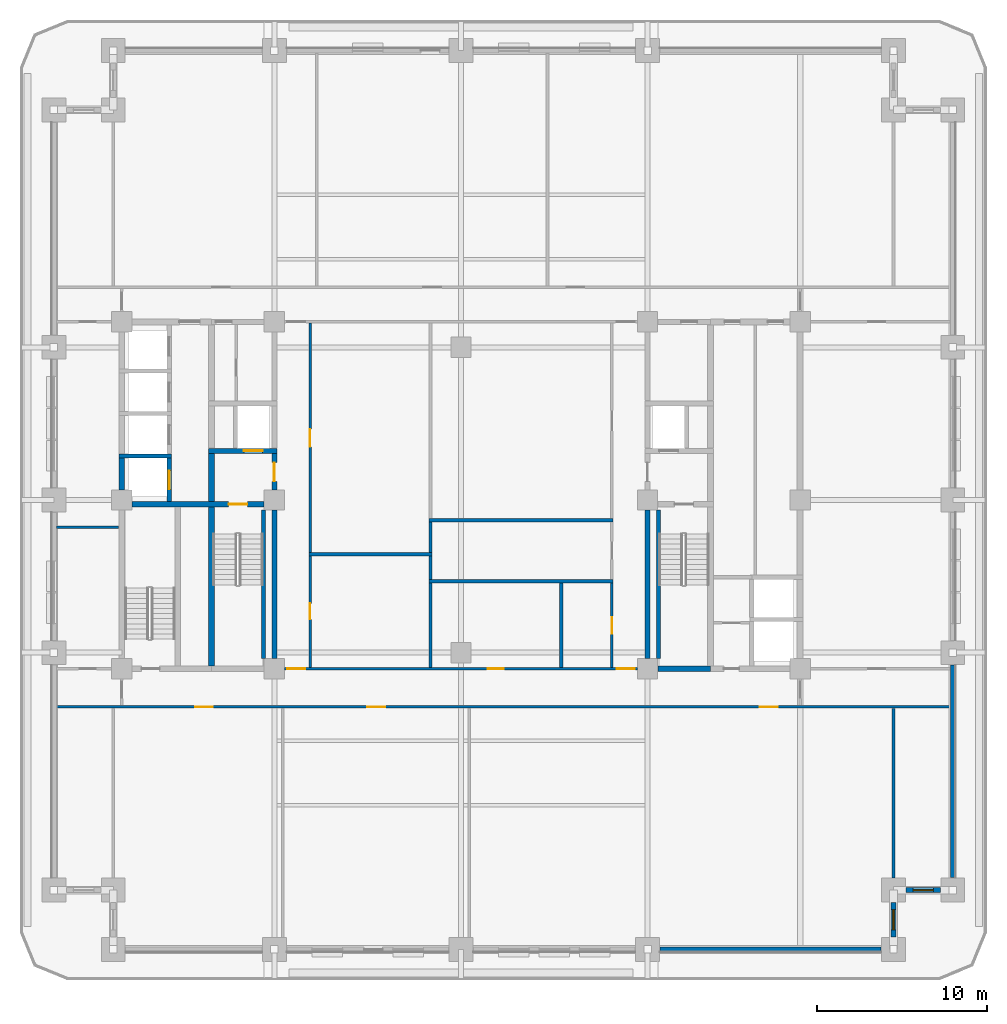
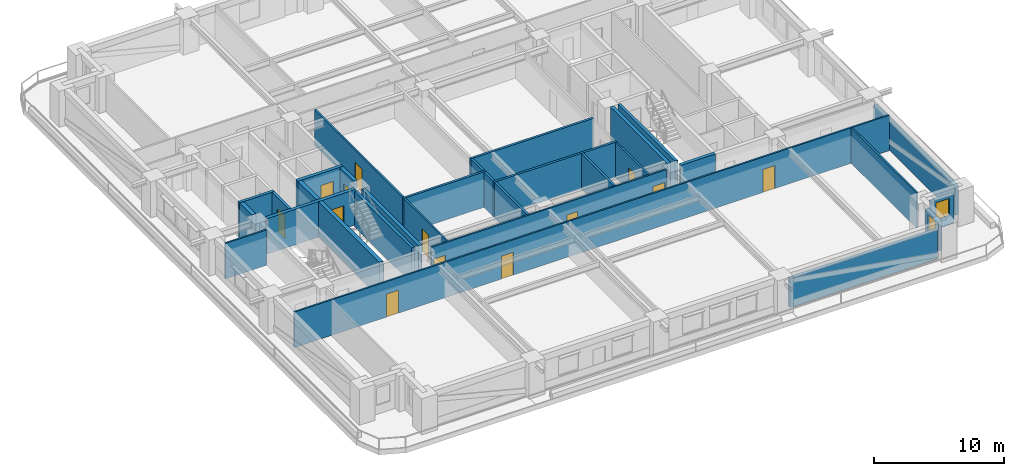
# One storey, part 3 of 13: 31 walls, 13 doors, 2 windows, 15 openings.
"""IFC4 building model written with IfcOpenShell, lengths in metres."""

from ifc_helpers import new_model, si_unit, direction, frame, frame_2d, origin, place, context, subcontext, project, spatial, rectangle, extrude, material, layer, layer_set, type_object, element, fill, save


model = new_model("IFC4")

# Units and contexts
model_context = context("Model", 3, precision=1e-05, world=origin(), true_north=direction((0.0, 1.0)))
body_context = subcontext(model_context, "Body", "Model", "MODEL_VIEW")
ifc_project = project(units=[si_unit("LENGTHUNIT", "METRE"), si_unit("AREAUNIT", "SQUARE_METRE"), si_unit("VOLUMEUNIT", "CUBIC_METRE"), si_unit("PLANEANGLEUNIT", "RADIAN"), si_unit("MASSUNIT", "GRAM", prefix="KILO")], contexts=[model_context])

# Site, building, storey
site_placement = place(None, origin())
site = spatial("IfcSite", under=ifc_project, at=site_placement, CompositionType="ELEMENT")
building_placement = place(site_placement, origin())
building = spatial("IfcBuilding", under=site, at=building_placement, Name="Zulmaris Gate Convention Tower", CompositionType="ELEMENT")
storey_placement = place(building_placement, frame((0.0, 0.0, 34.340087890625)))
storey = spatial("IfcBuildingStorey", under=building, at=storey_placement, Name="L07", CompositionType="ELEMENT", Elevation=34.340087890625)

# Wall
ifc_material_1 = material(Name="Concrete C50/60", Category="concrete")
ifc_layer_1 = layer(ifc_material_1, 0.25, Name="Concrete C50/60")
ifc_layer_set_1 = layer_set([ifc_layer_1], Name="Concrete C50/60")
wall_type_1 = type_object("IfcWallType", Name="CORE-250", PredefinedType="SOLIDWALL", material=ifc_layer_set_1)
wall_1_placement = place(storey_placement, frame((-20.175048828125, 2.60009765625, 0.0), z_axis=(0.0, 0.0, 1.0), x_axis=(1.0, 0.0, 0.0)))
element("IfcWall", 1, at=wall_1_placement, inside=storey, type_object=wall_type_1, Name="WL-L07-009", PredefinedType="SOLIDWALL", context=body_context, shape_type="SweptSolid", body=[
    extrude(rectangle(XDim=3.10009765625, YDim=0.25, at=frame_2d((1.550048828125, 0.0))), origin(), (0.0, 0.0, 1.0), 3.31982421875),
])

# Wall, opening, door
wall_2_placement = place(storey_placement, frame((-17.199951171875, -0.097900390625, 0.0), z_axis=(0.0, 0.0, 1.0), x_axis=(0.0, 1.0, 0.0)))
wall_2 = element("IfcWall", 2, at=wall_2_placement, inside=storey, type_object=wall_type_1, Name="WL-L07-039", PredefinedType="SOLIDWALL", context=body_context, shape_type="SweptSolid", body=[
    extrude(rectangle(XDim=2.57080078125, YDim=0.25, at=frame_2d((1.285400390625, 0.0))), origin(), (0.0, 0.0, 1.0), 3.31982421875),
])
opening_1_placement = place(wall_2_placement, frame((0.722900390625, 0.0, 0.0)))
opening_1 = element("IfcOpeningElement", 3, at=opening_1_placement, cuts=wall_2, Name="Opening D-06", PredefinedType="OPENING", context=body_context, shape_type="SweptSolid", body=[
    extrude(rectangle(XDim=1.10009765625, YDim=2.199951171875, at=frame_2d((0.550048828125, 1.10009765625))), frame((0.0, 0.135009765625, 0.0), z_axis=(0.0, -1.0, 0.0), x_axis=(1.0, 0.0, 0.0)), (0.0, 0.0, 1.0), 0.27001953125),
])
ifc_material_2 = material(Name="Brushed Stainless Steel", Category="steel")
door_type_1 = type_object("IfcDoorType", Name="LD-1100", OperationType="NOTDEFINED", PredefinedType="DOOR", material=ifc_material_2)
door_1_placement = place(opening_1_placement, origin())
door_1 = element("IfcDoor", 4, at=door_1_placement, inside=storey, type_object=door_type_1, Name="L07 Lift Landing Door LP-01 12", OperationType="SLIDING_TO_LEFT", OverallHeight=2.199951171875, OverallWidth=1.10009765625, PredefinedType="DOOR", context=body_context, shape_type="SweptSolid", body=[
    extrude(rectangle(XDim=1.10009765625, YDim=2.199951171875, at=frame_2d((0.550048828125, 1.10009765625))), frame((0.0, 0.02490234375, 0.0), z_axis=(0.0, -1.0, 0.0), x_axis=(1.0, 0.0, 0.0)), (0.0, 0.0, 1.0), 0.050048828125),
])
fill(opening_1, door_1)

# Walls
for number, where, z_axis, x_axis, name in (
    (5, (-11.64990234375, -9.345947265625, 0.0), (0.0, 0.0, 1.0), (0.0, 1.0, 0.0), "WL-L07-049"),
    (6, (11.64990234375, -9.345947265625, 0.0), (0.0, 0.0, 1.0), (0.0, 1.0, 0.0), "WL-L07-058"),
):
    element("IfcWall", number, at=place(storey_placement, frame(where, z_axis=z_axis, x_axis=x_axis)), inside=storey, type_object=wall_type_1, Name=name, PredefinedType="SOLIDWALL", context=body_context, shape_type="SweptSolid", body=[
        extrude(rectangle(XDim=8.741943359375, YDim=0.25, at=frame_2d((4.37109375, 0.0))), origin(), (0.0, 0.0, 1.0), 3.31982421875),
    ])
ifc_layer_2 = layer(ifc_material_1, 0.300048828125, Name="Concrete C50/60")
ifc_layer_set_2 = layer_set([ifc_layer_2], Name="Concrete C50/60")
wall_type_2 = type_object("IfcWallType", Name="CORE-300", PredefinedType="SHEAR", material=ifc_layer_set_2)
wall_3_placement = place(storey_placement, frame((11.60400390625, -9.949951171875, 0.0), z_axis=(0.0, 0.0, 1.0), x_axis=(1.0, 0.0, 0.0)))
element("IfcWall", 7, at=wall_3_placement, inside=storey, type_object=wall_type_2, Name="WL-L07-003", PredefinedType="SHEAR", context=body_context, shape_type="SweptSolid", body=[
    extrude(rectangle(XDim=3.095947265625, YDim=0.300048828125, at=frame_2d((1.5478515625, 0.0))), origin(), (0.0, 0.0, 1.0), 3.31982421875),
])

# Wall, opening, door
wall_4_placement = place(storey_placement, frame((-19.39599609375, -0.25, 0.0), z_axis=(0.0, 0.0, 1.0), x_axis=(1.0, 0.0, 0.0)))
wall_4 = element("IfcWall", 8, at=wall_4_placement, inside=storey, type_object=wall_type_2, Name="WL-L07-007", PredefinedType="SHEAR", context=body_context, shape_type="SweptSolid", body=[
    extrude(rectangle(XDim=7.7919921875, YDim=0.300048828125, at=frame_2d((3.89599609375, 0.0))), origin(), (0.0, 0.0, 1.0), 3.31982421875),
])
opening_2_placement = place(wall_4_placement, frame((5.696044921875, 0.0, 0.0)))
opening_2 = element("IfcOpeningElement", 9, at=opening_2_placement, cuts=wall_4, Name="Opening D-08", PredefinedType="OPENING", context=body_context, shape_type="SweptSolid", body=[
    extrude(rectangle(XDim=1.10009765625, YDim=2.14990234375, at=frame_2d((0.550048828125, 1.074951171875))), frame((0.0, 0.16015625, 0.0), z_axis=(0.0, -1.0, 0.0), x_axis=(1.0, 0.0, 0.0)), (0.0, 0.0, 1.0), 0.320068359375),
])
ifc_material_3 = material(Name="Fire-Rated Steel", Category="steel")
door_type_2 = type_object("IfcDoorType", Name="DR-1100-FD", OperationType="NOTDEFINED", PredefinedType="DOOR", material=ifc_material_3)
door_2_placement = place(opening_2_placement, origin())
door_2 = element("IfcDoor", 10, at=door_2_placement, inside=storey, type_object=door_type_2, Name="L07 Exit Stair ST-1 Door 01", OperationType="SINGLE_SWING_RIGHT", OverallHeight=2.14990234375, OverallWidth=1.10009765625, PredefinedType="DOOR", context=body_context, shape_type="SweptSolid", body=[
    extrude(rectangle(XDim=1.10009765625, YDim=2.14990234375, at=frame_2d((0.550048828125, 1.074951171875))), frame((0.0, 0.02490234375, 0.0), z_axis=(0.0, -1.0, 0.0), x_axis=(1.0, 0.0, 0.0)), (0.0, 0.0, 1.0), 0.050048828125),
])
fill(opening_2, door_2)

wall_5_placement = place(storey_placement, frame((-14.875, 2.89990234375, 0.0), z_axis=(0.0, 0.0, 1.0), x_axis=(1.0, 0.0, 0.0)))
wall_5 = element("IfcWall", 11, at=wall_5_placement, inside=storey, type_object=wall_type_2, Name="WL-L07-010", PredefinedType="SHEAR", context=body_context, shape_type="SweptSolid", body=[
    extrude(rectangle(XDim=4.02490234375, YDim=0.300048828125, at=frame_2d((2.012451171875, 0.0))), origin(), (0.0, 0.0, 1.0), 3.31982421875),
])
opening_3_placement = place(wall_5_placement, frame((2.074951171875, 0.0, 0.0)))
opening_3 = element("IfcOpeningElement", 12, at=opening_3_placement, cuts=wall_5, Name="Opening D-06", PredefinedType="OPENING", context=body_context, shape_type="SweptSolid", body=[
    extrude(rectangle(XDim=1.10009765625, YDim=2.199951171875, at=frame_2d((0.550048828125, 1.10009765625))), frame((0.0, 0.16015625, 0.0), z_axis=(0.0, -1.0, 0.0), x_axis=(1.0, 0.0, 0.0)), (0.0, 0.0, 1.0), 0.320068359375),
])
door_3_placement = place(opening_3_placement, origin())
door_3 = element("IfcDoor", 13, at=door_3_placement, inside=storey, type_object=door_type_1, Name="L07 Lift Landing Door LF-01 03", OperationType="SLIDING_TO_LEFT", OverallHeight=2.199951171875, OverallWidth=1.10009765625, PredefinedType="DOOR", context=body_context, shape_type="SweptSolid", body=[
    extrude(rectangle(XDim=1.10009765625, YDim=2.199951171875, at=frame_2d((0.550048828125, 1.10009765625))), frame((0.0, 0.02490234375, 0.0), z_axis=(0.0, -1.0, 0.0), x_axis=(1.0, 0.0, 0.0)), (0.0, 0.0, 1.0), 0.050048828125),
])
fill(opening_3, door_3)

# Wall
wall_6_placement = place(storey_placement, frame((-11.0, -9.345947265625, 0.0), z_axis=(0.0, 0.0, 1.0), x_axis=(0.0, 1.0, 0.0)))
element("IfcWall", 14, at=wall_6_placement, inside=storey, type_object=wall_type_2, Name="WL-L07-050", PredefinedType="SHEAR", context=body_context, shape_type="SweptSolid", body=[
    extrude(rectangle(XDim=8.741943359375, YDim=0.300048828125, at=frame_2d((4.37109375, 0.0))), origin(), (0.0, 0.0, 1.0), 3.31982421875),
])

# Wall, opening, door
wall_7_placement = place(storey_placement, frame((-11.0, 0.60400390625, 0.0), z_axis=(0.0, 0.0, 1.0), x_axis=(0.0, 1.0, 0.0)))
wall_7 = element("IfcWall", 15, at=wall_7_placement, inside=storey, type_object=wall_type_2, Name="WL-L07-051", PredefinedType="SHEAR", context=body_context, shape_type="SweptSolid", body=[
    extrude(rectangle(XDim=2.14404296875, YDim=0.300048828125, at=frame_2d((1.072021484375, 0.0))), origin(), (0.0, 0.0, 1.0), 3.31982421875),
])
opening_4_placement = place(wall_7_placement, frame((0.49609375, 0.0, 0.0)))
opening_4 = element("IfcOpeningElement", 16, at=opening_4_placement, cuts=wall_7, Name="Opening D-08", PredefinedType="OPENING", context=body_context, shape_type="SweptSolid", body=[
    extrude(rectangle(XDim=1.10009765625, YDim=2.14990234375, at=frame_2d((0.550048828125, 1.074951171875))), frame((0.0, 0.16015625, 0.0), z_axis=(0.0, -1.0, 0.0), x_axis=(1.0, 0.0, 0.0)), (0.0, 0.0, 1.0), 0.320068359375),
])
door_4_placement = place(opening_4_placement, origin())
door_4 = element("IfcDoor", 17, at=door_4_placement, inside=storey, type_object=door_type_2, Name="L07 West Firefighting Lobby Door 02", OperationType="SINGLE_SWING_LEFT", OverallHeight=2.14990234375, OverallWidth=1.10009765625, PredefinedType="DOOR", context=body_context, shape_type="SweptSolid", body=[
    extrude(rectangle(XDim=1.10009765625, YDim=2.14990234375, at=frame_2d((0.550048828125, 1.074951171875))), frame((0.0, 0.02490234375, 0.0), z_axis=(0.0, -1.0, 0.0), x_axis=(1.0, 0.0, 0.0)), (0.0, 0.0, 1.0), 0.050048828125),
])
fill(opening_4, door_4)

# Walls
wall_8_placement = place(storey_placement, frame((11.0, -9.345947265625, 0.0), z_axis=(0.0, 0.0, 1.0), x_axis=(0.0, 1.0, 0.0)))
element("IfcWall", 18, at=wall_8_placement, inside=storey, type_object=wall_type_2, Name="WL-L07-054", PredefinedType="SHEAR", context=body_context, shape_type="SweptSolid", body=[
    extrude(rectangle(XDim=8.741943359375, YDim=0.300048828125, at=frame_2d((4.37109375, 0.0))), origin(), (0.0, 0.0, 1.0), 3.31982421875),
])
ifc_material_4 = material(Name="Concrete C55/67", Category="concrete")
ifc_layer_3 = layer(ifc_material_4, 0.35009765625, Name="Concrete C55/67")
ifc_layer_set_3 = layer_set([ifc_layer_3], Name="Concrete C55/67")
wall_type_3 = type_object("IfcWallType", Name="CORE-350", PredefinedType="SHEAR", material=ifc_layer_set_3)
wall_9_placement = place(storey_placement, frame((-20.0, 0.60400390625, 0.0), z_axis=(0.0, 0.0, 1.0), x_axis=(0.0, 1.0, 0.0)))
element("IfcWall", 19, at=wall_9_placement, inside=storey, type_object=wall_type_3, Name="WL-L07-035", PredefinedType="SHEAR", context=body_context, shape_type="SweptSolid", body=[
    extrude(rectangle(XDim=1.868896484375, YDim=0.35009765625, at=frame_2d((0.9345703125, 0.0))), origin(), (0.0, 0.0, 1.0), 3.31982421875),
])
wall_10_placement = place(storey_placement, frame((-14.699951171875, -9.77294921875, 0.0), z_axis=(0.0, 0.0, 1.0), x_axis=(0.0, 1.0, 0.0)))
element("IfcWall", 20, at=wall_10_placement, inside=storey, type_object=wall_type_3, Name="WL-L07-044", PredefinedType="SHEAR", context=body_context, shape_type="SweptSolid", body=[
    extrude(rectangle(XDim=9.370849609375, YDim=0.35009765625, at=frame_2d((4.685546875, 0.0))), origin(), (0.0, 0.0, 1.0), 3.31982421875),
])
wall_11_placement = place(storey_placement, frame((-14.699951171875, -0.097900390625, 0.0), z_axis=(0.0, 0.0, 1.0), x_axis=(0.0, 1.0, 0.0)))
element("IfcWall", 21, at=wall_11_placement, inside=storey, type_object=wall_type_3, Name="WL-L07-045", PredefinedType="SHEAR", context=body_context, shape_type="SweptSolid", body=[
    extrude(rectangle(XDim=2.845947265625, YDim=0.35009765625, at=frame_2d((1.4228515625, 0.0))), origin(), (0.0, 0.0, 1.0), 3.31982421875),
])

# Wall, openings, doors
ifc_material_5 = material(Name="Gypsum Metal Stud Partition")
ifc_layer_4 = layer(ifc_material_5, 0.14990234375, Name="Gypsum Metal Stud Partition")
ifc_layer_set_4 = layer_set([ifc_layer_4], Name="Gypsum Metal Stud Partition")
wall_type_4 = type_object("IfcWallType", Name="PART-150", PredefinedType="PARTITIONING", material=ifc_layer_set_4)
wall_12_placement = place(storey_placement, frame((-23.8349609375, -12.199951171875, 0.0), z_axis=(0.0, 0.0, 1.0), x_axis=(1.0, 0.0, 0.0)))
wall_12 = element("IfcWall", 22, at=wall_12_placement, inside=storey, type_object=wall_type_4, Name="WL-L07-020", PredefinedType="PARTITIONING", context=body_context, shape_type="SweptSolid", body=[
    extrude(rectangle(XDim=52.669921875, YDim=0.14990234375, at=frame_2d((26.3349609375, 0.0))), origin(), (0.0, 0.0, 1.0), 3.31982421875),
])
opening_5_placement = place(wall_12_placement, frame((8.159912109375, 0.0, 0.0)))
opening_5 = element("IfcOpeningElement", 23, at=opening_5_placement, cuts=wall_12, Name="Opening D-09", PredefinedType="OPENING", context=body_context, shape_type="SweptSolid", body=[
    extrude(rectangle(XDim=1.050048828125, YDim=2.14990234375, at=frame_2d((0.52490234375, 1.074951171875))), frame((0.0, 0.0849609375, 0.0), z_axis=(0.0, -1.0, 0.0), x_axis=(1.0, 0.0, 0.0)), (0.0, 0.0, 1.0), 0.169921875),
])
opening_6_placement = place(wall_12_placement, frame((18.31005859375, 0.0, 0.0)))
opening_6 = element("IfcOpeningElement", 24, at=opening_6_placement, cuts=wall_12, Name="Opening D-09", PredefinedType="OPENING", context=body_context, shape_type="SweptSolid", body=[
    extrude(rectangle(XDim=1.050048828125, YDim=2.14990234375, at=frame_2d((0.52490234375, 1.074951171875))), frame((0.0, 0.0849609375, 0.0), z_axis=(0.0, -1.0, 0.0), x_axis=(1.0, 0.0, 0.0)), (0.0, 0.0, 1.0), 0.169921875),
])
opening_7_placement = place(wall_12_placement, frame((41.4599609375, 0.0, 0.0)))
opening_7 = element("IfcOpeningElement", 25, at=opening_7_placement, cuts=wall_12, Name="Opening D-09", PredefinedType="OPENING", context=body_context, shape_type="SweptSolid", body=[
    extrude(rectangle(XDim=1.050048828125, YDim=2.14990234375, at=frame_2d((0.52490234375, 1.074951171875))), frame((0.0, 0.0849609375, 0.0), z_axis=(0.0, -1.0, 0.0), x_axis=(1.0, 0.0, 0.0)), (0.0, 0.0, 1.0), 0.169921875),
])
door_type_3 = type_object("IfcDoorType", Name="DR-1050-FD", OperationType="NOTDEFINED", PredefinedType="DOOR", material=ifc_material_3)
door_5_placement = place(opening_5_placement, origin())
door_5 = element("IfcDoor", 26, at=door_5_placement, inside=storey, type_object=door_type_3, Name="L07 Executive Boardroom Door 27", OperationType="SINGLE_SWING_RIGHT", OverallHeight=2.14990234375, OverallWidth=1.050048828125, PredefinedType="DOOR", context=body_context, shape_type="SweptSolid", body=[
    extrude(rectangle(XDim=1.050048828125, YDim=2.14990234375, at=frame_2d((0.52490234375, 1.074951171875))), frame((0.0, 0.02490234375, 0.0), z_axis=(0.0, -1.0, 0.0), x_axis=(1.0, 0.0, 0.0)), (0.0, 0.0, 1.0), 0.050048828125),
])
fill(opening_5, door_5)
door_6_placement = place(opening_6_placement, origin())
door_6 = element("IfcDoor", 27, at=door_6_placement, inside=storey, type_object=door_type_3, Name="L07 Corporate Strategy Office Door 28", OperationType="SINGLE_SWING_LEFT", OverallHeight=2.14990234375, OverallWidth=1.050048828125, PredefinedType="DOOR", context=body_context, shape_type="SweptSolid", body=[
    extrude(rectangle(XDim=1.050048828125, YDim=2.14990234375, at=frame_2d((0.52490234375, 1.074951171875))), frame((0.0, 0.02490234375, 0.0), z_axis=(0.0, -1.0, 0.0), x_axis=(1.0, 0.0, 0.0)), (0.0, 0.0, 1.0), 0.050048828125),
])
fill(opening_6, door_6)
door_7_placement = place(opening_7_placement, origin())
door_7 = element("IfcDoor", 28, at=door_7_placement, inside=storey, type_object=door_type_3, Name="L07 Project Advisory Studio Door 29", OperationType="SINGLE_SWING_RIGHT", OverallHeight=2.14990234375, OverallWidth=1.050048828125, PredefinedType="DOOR", context=body_context, shape_type="SweptSolid", body=[
    extrude(rectangle(XDim=1.050048828125, YDim=2.14990234375, at=frame_2d((0.52490234375, 1.074951171875))), frame((0.0, 0.02490234375, 0.0), z_axis=(0.0, -1.0, 0.0), x_axis=(1.0, 0.0, 0.0)), (0.0, 0.0, 1.0), 0.050048828125),
])
fill(opening_7, door_7)

wall_13_placement = place(storey_placement, frame((-10.39404296875, -9.949951171875, 0.0), z_axis=(0.0, 0.0, 1.0), x_axis=(1.0, 0.0, 0.0)))
wall_13 = element("IfcWall", 29, at=wall_13_placement, inside=storey, type_object=wall_type_4, Name="WL-L07-022", PredefinedType="PARTITIONING", context=body_context, shape_type="SweptSolid", body=[
    extrude(rectangle(XDim=20.7880859375, YDim=0.14990234375, at=frame_2d((10.39404296875, 0.0))), origin(), (0.0, 0.0, 1.0), 3.31982421875),
])
opening_8_placement = place(wall_13_placement, frame((0.14990234375, 0.0, 0.0)))
opening_8 = element("IfcOpeningElement", 30, at=opening_8_placement, cuts=wall_13, Name="Opening D-09", PredefinedType="OPENING", context=body_context, shape_type="SweptSolid", body=[
    extrude(rectangle(XDim=1.050048828125, YDim=2.14990234375, at=frame_2d((0.52490234375, 1.074951171875))), frame((0.0, 0.0849609375, 0.0), z_axis=(0.0, -1.0, 0.0), x_axis=(1.0, 0.0, 0.0)), (0.0, 0.0, 1.0), 0.169921875),
])
opening_9_placement = place(wall_13_placement, frame((19.587890625, 0.0, 0.0)))
opening_9 = element("IfcOpeningElement", 31, at=opening_9_placement, cuts=wall_13, Name="Opening D-09", PredefinedType="OPENING", context=body_context, shape_type="SweptSolid", body=[
    extrude(rectangle(XDim=1.050048828125, YDim=2.14990234375, at=frame_2d((0.52490234375, 1.074951171875))), frame((0.0, 0.0849609375, 0.0), z_axis=(0.0, -1.0, 0.0), x_axis=(1.0, 0.0, 0.0)), (0.0, 0.0, 1.0), 0.169921875),
])
opening_10_placement = place(wall_13_placement, frame((11.968994140625, 0.0, 0.0)))
opening_10 = element("IfcOpeningElement", 32, at=opening_10_placement, cuts=wall_13, Name="Opening D-11", PredefinedType="OPENING", context=body_context, shape_type="SweptSolid", body=[
    extrude(rectangle(XDim=0.949951171875, YDim=2.14990234375, at=frame_2d((0.47509765625, 1.074951171875))), frame((0.0, 0.0849609375, 0.0), z_axis=(0.0, -1.0, 0.0), x_axis=(1.0, 0.0, 0.0)), (0.0, 0.0, 1.0), 0.169921875),
])
door_8_placement = place(opening_8_placement, origin())
door_8 = element("IfcDoor", 33, at=door_8_placement, inside=storey, type_object=door_type_3, Name="L07 SW Spine Link Door 21", OperationType="SINGLE_SWING_RIGHT", OverallHeight=2.14990234375, OverallWidth=1.050048828125, PredefinedType="DOOR", context=body_context, shape_type="SweptSolid", body=[
    extrude(rectangle(XDim=1.050048828125, YDim=2.14990234375, at=frame_2d((0.52490234375, 1.074951171875))), frame((0.0, 0.02490234375, 0.0), z_axis=(0.0, -1.0, 0.0), x_axis=(1.0, 0.0, 0.0)), (0.0, 0.0, 1.0), 0.050048828125),
])
fill(opening_8, door_8)
door_9_placement = place(opening_9_placement, origin())
door_9 = element("IfcDoor", 34, at=door_9_placement, inside=storey, type_object=door_type_3, Name="L07 SE Spine Link Door 23", OperationType="SINGLE_SWING_RIGHT", OverallHeight=2.14990234375, OverallWidth=1.050048828125, PredefinedType="DOOR", context=body_context, shape_type="SweptSolid", body=[
    extrude(rectangle(XDim=1.050048828125, YDim=2.14990234375, at=frame_2d((0.52490234375, 1.074951171875))), frame((0.0, 0.02490234375, 0.0), z_axis=(0.0, -1.0, 0.0), x_axis=(1.0, 0.0, 0.0)), (0.0, 0.0, 1.0), 0.050048828125),
])
fill(opening_9, door_9)
ifc_material_6 = material(Name="Fire-Rated Timber", Category="wood")
door_type_4 = type_object("IfcDoorType", Name="DR-950-FD", OperationType="NOTDEFINED", PredefinedType="DOOR", material=ifc_material_6)
door_10_placement = place(opening_10_placement, origin())
door_10 = element("IfcDoor", 35, at=door_10_placement, inside=storey, type_object=door_type_4, Name="L07 Print Room Door 35", OperationType="SINGLE_SWING_RIGHT", OverallHeight=2.14990234375, OverallWidth=0.949951171875, PredefinedType="DOOR", context=body_context, shape_type="SweptSolid", body=[
    extrude(rectangle(XDim=0.949951171875, YDim=2.14990234375, at=frame_2d((0.47509765625, 1.074951171875))), frame((0.0, 0.02490234375, 0.0), z_axis=(0.0, -1.0, 0.0), x_axis=(1.0, 0.0, 0.0)), (0.0, 0.0, 1.0), 0.050048828125),
])
fill(opening_10, door_10)

# Wall
wall_14_placement = place(storey_placement, frame((-23.8349609375, -1.60009765625, 0.0), z_axis=(0.0, 0.0, 1.0), x_axis=(1.0, 0.0, 0.0)))
element("IfcWall", 36, at=wall_14_placement, inside=storey, type_object=wall_type_4, Name="WL-L07-028", PredefinedType="PARTITIONING", context=body_context, shape_type="SweptSolid", body=[
    extrude(rectangle(XDim=3.656982421875, YDim=0.14990234375, at=frame_2d((1.82861328125, 0.0))), origin(), (0.0, 0.0, 1.0), 3.31982421875),
])

# Wall, opening, door
wall_15_placement = place(storey_placement, frame((-8.89990234375, -9.8720703125, 0.0), z_axis=(0.0, 0.0, 1.0), x_axis=(0.0, 1.0, 0.0)))
wall_15 = element("IfcWall", 37, at=wall_15_placement, inside=storey, type_object=wall_type_4, Name="WL-L07-075", PredefinedType="PARTITIONING", context=body_context, shape_type="SweptSolid", body=[
    extrude(rectangle(XDim=6.569091796875, YDim=0.14990234375, at=frame_2d((3.28466796875, 0.0))), origin(), (0.0, 0.0, 1.0), 3.31982421875),
])
opening_11_placement = place(wall_15_placement, frame((2.826904296875, 0.0, 0.0)))
opening_11 = element("IfcOpeningElement", 38, at=opening_11_placement, cuts=wall_15, Name="Opening D-11", PredefinedType="OPENING", context=body_context, shape_type="SweptSolid", body=[
    extrude(rectangle(XDim=0.949951171875, YDim=2.14990234375, at=frame_2d((0.47509765625, 1.074951171875))), frame((0.0, 0.0849609375, 0.0), z_axis=(0.0, -1.0, 0.0), x_axis=(1.0, 0.0, 0.0)), (0.0, 0.0, 1.0), 0.169921875),
])
door_11_placement = place(opening_11_placement, origin())
door_11 = element("IfcDoor", 39, at=door_11_placement, inside=storey, type_object=door_type_4, Name="L07 Wellness Pantry Door 31", OperationType="SINGLE_SWING_RIGHT", OverallHeight=2.14990234375, OverallWidth=0.949951171875, PredefinedType="DOOR", context=body_context, shape_type="SweptSolid", body=[
    extrude(rectangle(XDim=0.949951171875, YDim=2.14990234375, at=frame_2d((0.47509765625, 1.074951171875))), frame((0.0, 0.02490234375, 0.0), z_axis=(0.0, -1.0, 0.0), x_axis=(1.0, 0.0, 0.0)), (0.0, 0.0, 1.0), 0.050048828125),
])
fill(opening_11, door_11)

wall_16_placement = place(storey_placement, frame((-8.89990234375, -3.096923828125, 0.0), z_axis=(0.0, 0.0, 1.0), x_axis=(0.0, 1.0, 0.0)))
wall_16 = element("IfcWall", 40, at=wall_16_placement, inside=storey, type_object=wall_type_4, Name="WL-L07-076", PredefinedType="PARTITIONING", context=body_context, shape_type="SweptSolid", body=[
    extrude(rectangle(XDim=13.51904296875, YDim=0.14990234375, at=frame_2d((6.759521484375, 0.0))), origin(), (0.0, 0.0, 1.0), 3.31982421875),
])
opening_12_placement = place(wall_16_placement, frame((6.221923828125, 0.0, 0.0)))
opening_12 = element("IfcOpeningElement", 41, at=opening_12_placement, cuts=wall_16, Name="Opening D-09", PredefinedType="OPENING", context=body_context, shape_type="SweptSolid", body=[
    extrude(rectangle(XDim=1.050048828125, YDim=2.14990234375, at=frame_2d((0.52490234375, 1.074951171875))), frame((0.0, 0.0849609375, 0.0), z_axis=(0.0, -1.0, 0.0), x_axis=(1.0, 0.0, 0.0)), (0.0, 0.0, 1.0), 0.169921875),
])
door_12_placement = place(opening_12_placement, origin())
door_12 = element("IfcDoor", 42, at=door_12_placement, inside=storey, type_object=door_type_3, Name="L07 Boardroom Door 30", OperationType="SINGLE_SWING_LEFT", OverallHeight=2.14990234375, OverallWidth=1.050048828125, PredefinedType="DOOR", context=body_context, shape_type="SweptSolid", body=[
    extrude(rectangle(XDim=1.050048828125, YDim=2.14990234375, at=frame_2d((0.52490234375, 1.074951171875))), frame((0.0, 0.02490234375, 0.0), z_axis=(0.0, -1.0, 0.0), x_axis=(1.0, 0.0, 0.0)), (0.0, 0.0, 1.0), 0.050048828125),
])
fill(opening_12, door_12)

wall_17_placement = place(storey_placement, frame((8.89990234375, -9.8720703125, 0.0), z_axis=(0.0, 0.0, 1.0), x_axis=(0.0, 1.0, 0.0)))
wall_17 = element("IfcWall", 43, at=wall_17_placement, inside=storey, type_object=wall_type_4, Name="WL-L07-085", PredefinedType="PARTITIONING", context=body_context, shape_type="SweptSolid", body=[
    extrude(rectangle(XDim=4.968994140625, YDim=0.14990234375, at=frame_2d((2.484375, 0.0))), origin(), (0.0, 0.0, 1.0), 3.31982421875),
])
opening_13_placement = place(wall_17_placement, frame((1.9970703125, 0.0, 0.0)))
opening_13 = element("IfcOpeningElement", 44, at=opening_13_placement, cuts=wall_17, Name="Opening D-11", PredefinedType="OPENING", context=body_context, shape_type="SweptSolid", body=[
    extrude(rectangle(XDim=0.949951171875, YDim=2.14990234375, at=frame_2d((0.47509765625, 1.074951171875))), frame((0.0, 0.0849609375, 0.0), z_axis=(0.0, -1.0, 0.0), x_axis=(1.0, 0.0, 0.0)), (0.0, 0.0, 1.0), 0.169921875),
])
door_13_placement = place(opening_13_placement, origin())
door_13 = element("IfcDoor", 45, at=door_13_placement, inside=storey, type_object=door_type_4, Name="L07 Accessible WC Door 34", OperationType="SINGLE_SWING_LEFT", OverallHeight=2.14990234375, OverallWidth=0.949951171875, PredefinedType="DOOR", context=body_context, shape_type="SweptSolid", body=[
    extrude(rectangle(XDim=0.949951171875, YDim=2.14990234375, at=frame_2d((0.47509765625, 1.074951171875))), frame((0.0, 0.02490234375, 0.0), z_axis=(0.0, -1.0, 0.0), x_axis=(1.0, 0.0, 0.0)), (0.0, 0.0, 1.0), 0.050048828125),
])
fill(opening_13, door_13)

# Walls
wall_18_placement = place(storey_placement, frame((25.5, -22.2939453125, 0.0), z_axis=(0.0, 0.0, 1.0), x_axis=(0.0, 1.0, 0.0)))
element("IfcWall", 46, at=wall_18_placement, inside=storey, type_object=wall_type_4, Name="WL-L07-091", PredefinedType="PARTITIONING", context=body_context, shape_type="SweptSolid", body=[
    extrude(rectangle(XDim=10.015869140625, YDim=0.14990234375, at=frame_2d((5.0078125, 0.0))), origin(), (0.0, 0.0, 1.0), 3.31982421875),
])
ifc_material_7 = material(Name="Autoclaved Aerated Concrete Block and Plasterboard", Category="concrete")
ifc_layer_5 = layer(ifc_material_7, 0.199951171875, Name="Autoclaved Aerated Concrete Block and Plasterboard")
ifc_layer_set_5 = layer_set([ifc_layer_5], Name="Autoclaved Aerated Concrete Block and Plasterboard")
wall_type_5 = type_object("IfcWallType", Name="PART-200", PredefinedType="PARTITIONING", material=ifc_layer_set_5)
wall_19_placement = place(storey_placement, frame((-1.89990234375, -4.800048828125, 0.0), z_axis=(0.0, 0.0, 1.0), x_axis=(1.0, 0.0, 0.0)))
element("IfcWall", 47, at=wall_19_placement, inside=storey, type_object=wall_type_5, Name="WL-L07-025", PredefinedType="PARTITIONING", context=body_context, shape_type="SweptSolid", body=[
    extrude(rectangle(XDim=10.875, YDim=0.199951171875, at=frame_2d((5.4375, 0.0))), origin(), (0.0, 0.0, 1.0), 3.31982421875),
])
wall_20_placement = place(storey_placement, frame((-8.97509765625, -3.199951171875, 0.0), z_axis=(0.0, 0.0, 1.0), x_axis=(1.0, 0.0, 0.0)))
element("IfcWall", 48, at=wall_20_placement, inside=storey, type_object=wall_type_5, Name="WL-L07-027", PredefinedType="PARTITIONING", context=body_context, shape_type="SweptSolid", body=[
    extrude(rectangle(XDim=7.275146484375, YDim=0.199951171875, at=frame_2d((3.6376953125, 0.0))), origin(), (0.0, 0.0, 1.0), 3.31982421875),
])
wall_21_placement = place(storey_placement, frame((-1.89990234375, -1.199951171875, 0.0), z_axis=(0.0, 0.0, 1.0), x_axis=(1.0, 0.0, 0.0)))
element("IfcWall", 49, at=wall_21_placement, inside=storey, type_object=wall_type_5, Name="WL-L07-029", PredefinedType="PARTITIONING", context=body_context, shape_type="SweptSolid", body=[
    extrude(rectangle(XDim=10.875, YDim=0.199951171875, at=frame_2d((5.4375, 0.0))), origin(), (0.0, 0.0, 1.0), 3.31982421875),
])
wall_22_placement = place(storey_placement, frame((-1.800048828125, -9.8720703125, 0.0), z_axis=(0.0, 0.0, 1.0), x_axis=(0.0, 1.0, 0.0)))
element("IfcWall", 50, at=wall_22_placement, inside=storey, type_object=wall_type_5, Name="WL-L07-078", PredefinedType="PARTITIONING", context=body_context, shape_type="SweptSolid", body=[
    extrude(rectangle(XDim=4.968994140625, YDim=0.199951171875, at=frame_2d((2.484375, 0.0))), origin(), (0.0, 0.0, 1.0), 3.31982421875),
])
wall_23_placement = place(storey_placement, frame((-1.800048828125, -4.697021484375, 0.0), z_axis=(0.0, 0.0, 1.0), x_axis=(0.0, 1.0, 0.0)))
element("IfcWall", 51, at=wall_23_placement, inside=storey, type_object=wall_type_5, Name="WL-L07-079", PredefinedType="PARTITIONING", context=body_context, shape_type="SweptSolid", body=[
    extrude(rectangle(XDim=1.39404296875, YDim=0.199951171875, at=frame_2d((0.697021484375, 0.0))), origin(), (0.0, 0.0, 1.0), 3.31982421875),
])
wall_24_placement = place(storey_placement, frame((-1.800048828125, -3.096923828125, 0.0), z_axis=(0.0, 0.0, 1.0), x_axis=(0.0, 1.0, 0.0)))
element("IfcWall", 52, at=wall_24_placement, inside=storey, type_object=wall_type_5, Name="WL-L07-080", PredefinedType="PARTITIONING", context=body_context, shape_type="SweptSolid", body=[
    extrude(rectangle(XDim=1.7939453125, YDim=0.199951171875, at=frame_2d((0.89697265625, 0.0))), origin(), (0.0, 0.0, 1.0), 3.31982421875),
])
wall_25_placement = place(storey_placement, frame((5.89990234375, -9.8720703125, 0.0), z_axis=(0.0, 0.0, 1.0), x_axis=(0.0, 1.0, 0.0)))
element("IfcWall", 53, at=wall_25_placement, inside=storey, type_object=wall_type_5, Name="WL-L07-084", PredefinedType="PARTITIONING", context=body_context, shape_type="SweptSolid", body=[
    extrude(rectangle(XDim=4.968994140625, YDim=0.199951171875, at=frame_2d((2.484375, 0.0))), origin(), (0.0, 0.0, 1.0), 3.31982421875),
])

# Wall, opening, window
ifc_material_8 = material(Name="Precast concrete C40/50", Category="concrete")
ifc_layer_6 = layer(ifc_material_8, 0.300048828125, Name="Precast concrete C40/50")
ifc_layer_set_6 = layer_set([ifc_layer_6], Name="Precast concrete C40/50")
wall_type_6 = type_object("IfcWallType", Name="PRECAST-PIER-300", PredefinedType="STANDARD", material=ifc_layer_set_6)
wall_26_placement = place(storey_placement, frame((25.5, -25.77001953125, 0.0), z_axis=(0.0, 0.0, 1.0), x_axis=(0.0, 1.0, 0.0)))
wall_26 = element("IfcWall", 54, at=wall_26_placement, inside=storey, type_object=wall_type_6, Name="EW-L07-NOTCH-SE1_0", PredefinedType="STANDARD", context=body_context, shape_type="SweptSolid", body=[
    extrude(rectangle(XDim=2.0400390625, YDim=0.300048828125, at=frame_2d((1.02001953125, 0.0))), origin(), (0.0, 0.0, 1.0), 2.7119140625),
])
opening_14_placement = place(wall_26_placement, frame((0.419921875, 0.0, 0.820068359375)))
opening_14 = element("IfcOpeningElement", 55, at=opening_14_placement, cuts=wall_26, Name="Opening W-04", PredefinedType="OPENING", context=body_context, shape_type="SweptSolid", body=[
    extrude(rectangle(XDim=1.199951171875, YDim=1.64990234375, at=frame_2d((0.60009765625, 0.824951171875))), frame((0.0, 0.16015625, 0.0), z_axis=(0.0, -1.0, 0.0), x_axis=(1.0, 0.0, 0.0)), (0.0, 0.0, 1.0), 0.320068359375),
])
ifc_material_9 = material(Name="Low-E Laminated Double Glazing in Aluminium Frame", Category="aluminium")
window_type = type_object("IfcWindowType", Name="WIN-1200x2100", PartitioningType="SINGLE_PANEL", PredefinedType="WINDOW", material=ifc_material_9)
window_1_placement = place(opening_14_placement, origin())
window_1 = element("IfcWindow", 56, at=window_1_placement, inside=storey, type_object=window_type, Name="WN-EW-L07-NOTCH-SE1_0", OverallHeight=1.64990234375, OverallWidth=1.199951171875, PartitioningType="SINGLE_PANEL", PredefinedType="WINDOW", context=body_context, shape_type="SweptSolid", body=[
    extrude(rectangle(XDim=1.199951171875, YDim=1.64990234375, at=frame_2d((0.60009765625, 0.824951171875))), frame((0.0, 0.030029296875, 0.0), z_axis=(0.0, -1.0, 0.0), x_axis=(1.0, 0.0, 0.0)), (0.0, 0.0, 1.0), 0.06005859375),
])
fill(opening_14, window_1)

wall_27_placement = place(storey_placement, frame((26.22998046875, -23.0, 0.0), z_axis=(0.0, 0.0, 1.0), x_axis=(1.0, 0.0, 0.0)))
wall_27 = element("IfcWall", 57, at=wall_27_placement, inside=storey, type_object=wall_type_6, Name="EW-L07-NOTCH-SE2_0", PredefinedType="STANDARD", context=body_context, shape_type="SweptSolid", body=[
    extrude(rectangle(XDim=2.0400390625, YDim=0.300048828125, at=frame_2d((1.02001953125, 0.0))), origin(), (0.0, 0.0, 1.0), 2.7119140625),
])
opening_15_placement = place(wall_27_placement, frame((0.419921875, 0.0, 0.820068359375)))
opening_15 = element("IfcOpeningElement", 58, at=opening_15_placement, cuts=wall_27, Name="Opening W-04", PredefinedType="OPENING", context=body_context, shape_type="SweptSolid", body=[
    extrude(rectangle(XDim=1.199951171875, YDim=1.64990234375, at=frame_2d((0.60009765625, 0.824951171875))), frame((0.0, 0.16015625, 0.0), z_axis=(0.0, -1.0, 0.0), x_axis=(1.0, 0.0, 0.0)), (0.0, 0.0, 1.0), 0.320068359375),
])
window_2_placement = place(opening_15_placement, origin())
window_2 = element("IfcWindow", 59, at=window_2_placement, inside=storey, type_object=window_type, Name="WN-EW-L07-NOTCH-SE2_0", OverallHeight=1.64990234375, OverallWidth=1.199951171875, PartitioningType="SINGLE_PANEL", PredefinedType="WINDOW", context=body_context, shape_type="SweptSolid", body=[
    extrude(rectangle(XDim=1.199951171875, YDim=1.64990234375, at=frame_2d((0.60009765625, 0.824951171875))), frame((0.0, 0.030029296875, 0.0), z_axis=(0.0, -1.0, 0.0), x_axis=(1.0, 0.0, 0.0)), (0.0, 0.0, 1.0), 0.06005859375),
])
fill(opening_15, window_2)

# Walls
wall_28_placement = place(storey_placement, frame((11.72998046875, -26.5, 0.0), z_axis=(0.0, 0.0, 1.0), x_axis=(1.0, 0.0, 0.0)))
element("IfcWall", 60, at=wall_28_placement, inside=storey, type_object=wall_type_6, Name="EW-L07-S-3_0", PredefinedType="STANDARD", context=body_context, shape_type="SweptSolid", body=[
    extrude(rectangle(XDim=13.0400390625, YDim=0.300048828125, at=frame_2d((6.52001953125, 0.0))), origin(), (0.0, 0.0, 1.0), 2.7119140625),
])
wall_29_placement = place(storey_placement, frame((29.0, -22.27001953125, 0.0), z_axis=(0.0, 0.0, 1.0), x_axis=(0.0, 1.0, 0.0)))
element("IfcWall", 61, at=wall_29_placement, inside=storey, type_object=wall_type_6, Name="EW-L07-E-0_0", PredefinedType="STANDARD", context=body_context, shape_type="SweptSolid", body=[
    extrude(rectangle(XDim=12.5400390625, YDim=0.300048828125, at=frame_2d((6.27001953125, 0.0))), origin(), (0.0, 0.0, 1.0), 2.7119140625),
])

save(model, "model.ifc")
